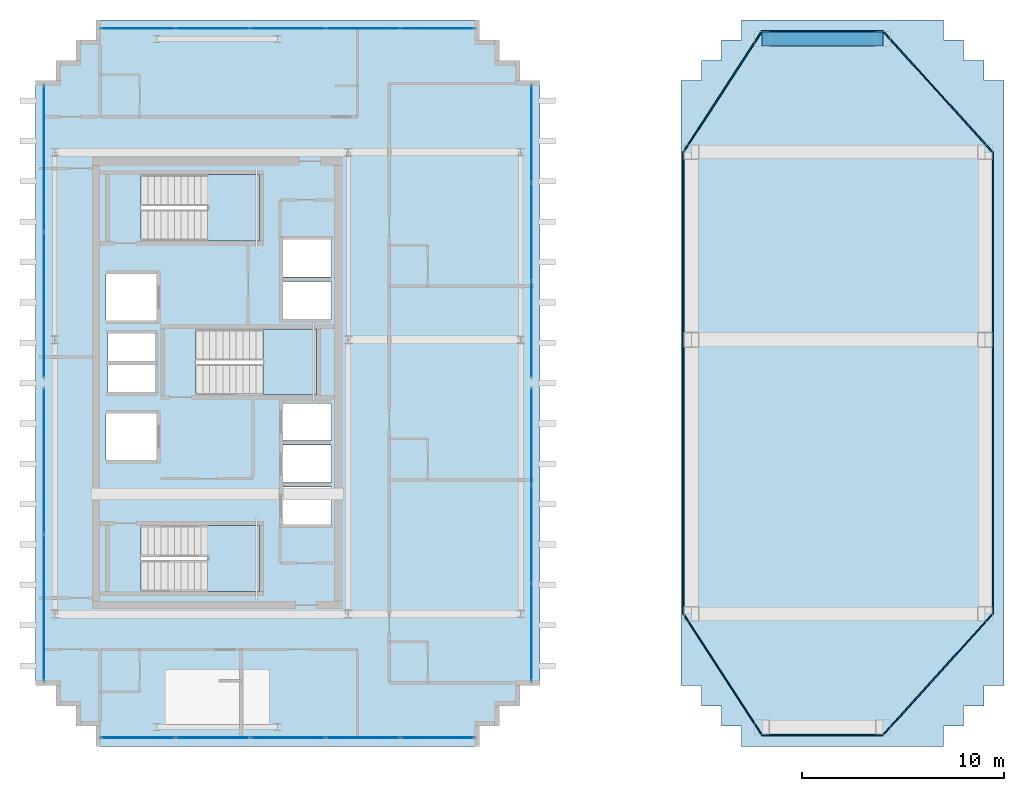
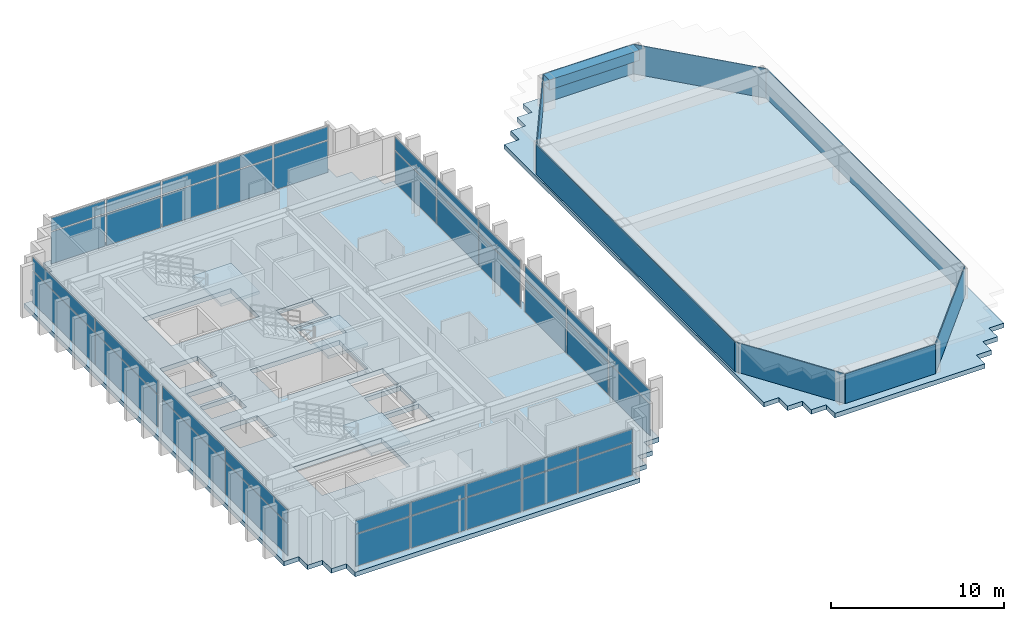
# One storey, part 13 of 17: 48 plates, 5 slabs, 1 beam, 9 elements without a shape of their own.
"""IFC4 building model written with IfcOpenShell, lengths in metres."""

from ifc_helpers import new_model, si_unit, direction, frame, origin, origin_2d, place, context, subcontext, project, spatial, polyline, rectangle, hollow_rectangle, outline, extrude, source, transform, mapped, material, layer, layer_set, material_profile, profile_set, type_object, element, aggregate, save


model = new_model("IFC4")

# Units and contexts
model_context = context("Model", 3, precision=1e-05, world=origin(), true_north=direction((0.0, 1.0)))
body_context = subcontext(model_context, "Body", "Model", "MODEL_VIEW")
ifc_project = project(units=[si_unit("LENGTHUNIT", "METRE"), si_unit("AREAUNIT", "SQUARE_METRE"), si_unit("VOLUMEUNIT", "CUBIC_METRE"), si_unit("PLANEANGLEUNIT", "RADIAN"), si_unit("MASSUNIT", "GRAM", prefix="KILO")], contexts=[model_context])

# Site, building, storey
site_placement = place(None, origin())
site = spatial("IfcSite", under=ifc_project, at=site_placement, CompositionType="ELEMENT")
building_placement = place(site_placement, origin())
building = spatial("IfcBuilding", under=site, at=building_placement, Name="Ocotamira Hotel", CompositionType="ELEMENT")
storey_placement = place(building_placement, frame((0.0, 0.0, 272.39990234375)))
storey = spatial("IfcBuildingStorey", under=building, at=storey_placement, Name="L69", CompositionType="ELEMENT", Elevation=272.39990234375)

# Beam
ifc_material_1 = material(Name="Pale-metal coated steel ASTM A913 Grade 65", Category="steel")
ifc_material_profile = material_profile(ifc_material_1, hollow_rectangle(XDim=0.699951171875, YDim=0.699951171875, WallThickness=0.02490234375, at=origin_2d()), Name="BOX700X700X25")
ifc_profile_set = profile_set([ifc_material_profile], Name="Pale-metal coated steel ASTM A913 Grade 65")
beam_type = type_object("IfcBeamType", Name="BM-CROWN-RING", PredefinedType="USERDEFINED", material=ifc_profile_set)
shared_shape_1 = source(origin(), body_context, "Body", "SweptSolid", [
    extrude(hollow_rectangle(XDim=0.699951171875, YDim=0.699951171875, WallThickness=0.02490234375, at=origin_2d()), origin(), (0.0, 0.0, 1.0), 6.0),
])
beam_placement = place(storey_placement, frame((44.0, 43.050048828125, 1.75), z_axis=(1.0, 0.0, 0.0), x_axis=(0.0, 1.0, 0.0)))
element("IfcBeam", 1, at=beam_placement, inside=storey, type_object=beam_type, Name="EAST CROWN RING BEAM 07", ObjectType="CROWN FRAME", PredefinedType="USERDEFINED", context=body_context, shape_type="MappedRepresentation", body=[
    mapped(shared_shape_1, transform((0.0, 0.0, 0.0), scale=1.0)),
])

# Slab
ifc_material_2 = material(Name="Concrete C40/50", Category="concrete")
ifc_layer_1 = layer(ifc_material_2, 0.320068359375)
ifc_layer_set_1 = layer_set([ifc_layer_1], Name="Concrete C40/50")
slab_type_1 = type_object("IfcSlabType", Name="SLB-HVY-320", PredefinedType="FLOOR", material=ifc_layer_set_1)
slab_1_placement = place(storey_placement, frame((0.0, 0.0, -0.31982421875)))
element("IfcSlab", 2, at=slab_1_placement, inside=storey, type_object=slab_type_1, Name="L69 Structural Floor Slab", PredefinedType="FLOOR", context=body_context, shape_type="SweptSolid", body=[
    extrude(outline(polyline([(11.0, 8.0), (30.0, 8.0), (30.0, 9.0), (31.0, 9.0), (31.0, 10.0), (32.0, 10.0), (32.0, 11.0), (33.0, 11.0), (33.0, 41.0), (32.0, 41.0), (32.0, 42.0), (31.0, 42.0), (31.0, 43.0), (30.0, 43.0), (30.0, 44.0), (11.0, 44.0), (11.0, 43.0), (10.0, 43.0), (10.0, 42.0), (9.0, 42.0), (9.0, 41.0), (8.0, 41.0), (8.0, 11.0), (9.0, 11.0), (9.0, 10.0), (10.0, 10.0), (10.0, 9.0), (11.0, 9.0), (11.0, 8.0)]), holes=[polyline([(13.22998046875, 15.669921875), (19.090087890625, 15.669921875), (19.090087890625, 18.949951171875), (13.22998046875, 18.949951171875), (13.22998046875, 15.669921875)]), polyline([(13.22998046875, 33.050048828125), (19.090087890625, 33.050048828125), (19.090087890625, 36.330078125), (13.22998046875, 36.330078125), (13.22998046875, 33.050048828125)]), polyline([(15.9599609375, 25.39990234375), (21.919921875, 25.39990234375), (21.919921875, 28.679931640625), (15.9599609375, 28.679931640625), (15.9599609375, 25.39990234375)]), polyline([(20.25, 19.0), (22.659912109375, 19.0), (22.659912109375, 20.85009765625), (20.25, 20.85009765625), (20.25, 19.0)]), polyline([(20.25, 21.080078125), (22.659912109375, 21.080078125), (22.659912109375, 22.929931640625), (20.25, 22.929931640625), (20.25, 21.080078125)]), polyline([(20.25, 23.159912109375), (22.659912109375, 23.159912109375), (22.659912109375, 24.9599609375), (20.25, 24.9599609375), (20.25, 23.159912109375)]), polyline([(20.25, 29.179931640625), (22.659912109375, 29.179931640625), (22.659912109375, 31.030029296875), (20.25, 31.030029296875), (20.25, 29.179931640625)]), polyline([(20.25, 31.260009765625), (22.659912109375, 31.260009765625), (22.659912109375, 33.110107421875), (20.25, 33.110107421875), (20.25, 31.260009765625)]), polyline([(11.5, 22.199951171875), (14.0, 22.199951171875), (14.0, 24.5), (11.5, 24.5), (11.5, 22.199951171875)]), polyline([(11.5, 29.10009765625), (14.0, 29.10009765625), (14.0, 31.39990234375), (11.5, 31.39990234375), (11.5, 29.10009765625)]), polyline([(11.580078125, 25.550048828125), (13.919921875, 25.550048828125), (13.919921875, 26.89990234375), (11.580078125, 26.89990234375), (11.580078125, 25.550048828125)]), polyline([(11.580078125, 27.10009765625), (13.919921875, 27.10009765625), (13.919921875, 28.449951171875), (11.580078125, 28.449951171875), (11.580078125, 27.10009765625)])]), origin(), (0.0, 0.0, 1.0), 0.31982421875),
])

# Stair, slab
stair_type = type_object("IfcStairType", Name="ST-CORE-1560", PredefinedType="HALF_TURN_STAIR", material=ifc_material_2)
stair_1_placement = place(storey_placement, origin())
stair_1 = element("IfcStair", 3, at=stair_1_placement, inside=storey, type_object=stair_type, Name="L69 Exit Stair ST-1", PredefinedType="HALF_TURN_STAIR")
ifc_layer_2 = layer(ifc_material_2, 0.199951171875)
ifc_layer_set_2 = layer_set([ifc_layer_2], Name="Concrete C40/50")
slab_type_2 = type_object("IfcSlabType", Name="SLB-LAND-200", PredefinedType="LANDING", material=ifc_layer_set_2)
slab_2_placement = place(storey_placement, frame((0.0, 0.0, 1.60009765625)))
slab_2 = element("IfcSlab", 4, at=slab_2_placement, type_object=slab_type_2, Name="ST-1 landing 1", PredefinedType="LANDING", context=body_context, shape_type="SweptSolid", body=[
    extrude(outline(polyline([(16.530029296875, 15.669921875), (19.090087890625, 15.669921875), (19.090087890625, 18.949951171875), (16.530029296875, 18.949951171875), (16.530029296875, 15.669921875)])), origin(), (0.0, 0.0, 1.0), 0.199951171875),
])
aggregate(stair_1, [slab_2])

stair_2_placement = place(storey_placement, origin())
stair_2 = element("IfcStair", 5, at=stair_2_placement, inside=storey, type_object=stair_type, Name="L69 Exit Stair ST-2", PredefinedType="HALF_TURN_STAIR")
slab_3_placement = place(storey_placement, frame((0.0, 0.0, 1.60009765625)))
slab_3 = element("IfcSlab", 6, at=slab_3_placement, type_object=slab_type_2, Name="ST-2 landing 1", PredefinedType="LANDING", context=body_context, shape_type="SweptSolid", body=[
    extrude(outline(polyline([(16.530029296875, 33.050048828125), (19.090087890625, 33.050048828125), (19.090087890625, 36.330078125), (16.530029296875, 36.330078125), (16.530029296875, 33.050048828125)])), origin(), (0.0, 0.0, 1.0), 0.199951171875),
])
aggregate(stair_2, [slab_3])

stair_3_placement = place(storey_placement, origin())
stair_3 = element("IfcStair", 7, at=stair_3_placement, inside=storey, type_object=stair_type, Name="L69 Exit Stair ST-3", PredefinedType="HALF_TURN_STAIR")
slab_4_placement = place(storey_placement, frame((0.0, 0.0, 1.60009765625)))
slab_4 = element("IfcSlab", 8, at=slab_4_placement, type_object=slab_type_2, Name="ST-3 landing 1", PredefinedType="LANDING", context=body_context, shape_type="SweptSolid", body=[
    extrude(outline(polyline([(19.260009765625, 25.39990234375), (21.919921875, 25.39990234375), (21.919921875, 28.679931640625), (19.260009765625, 28.679931640625), (19.260009765625, 25.39990234375)])), origin(), (0.0, 0.0, 1.0), 0.199951171875),
])
aggregate(stair_3, [slab_4])

# Slab
ifc_layer_3 = layer(ifc_material_2, 0.320068359375)
ifc_layer_set_3 = layer_set([ifc_layer_3], Name="Concrete C40/50")
slab_type_3 = type_object("IfcSlabType", Name="SLB-ROOF-320", PredefinedType="ROOF", material=ifc_layer_set_3)
slab_5_placement = place(storey_placement, frame((0.0, 0.0, -0.31982421875)))
element("IfcSlab", 9, at=slab_5_placement, inside=storey, type_object=slab_type_3, Name="L69 East Wing Flat Roof Slab", PredefinedType="ROOF", context=body_context, shape_type="SweptSolid", body=[
    extrude(outline(polyline([(43.0, 8.0), (53.0, 8.0), (53.0, 9.0), (54.0, 9.0), (54.0, 10.0), (55.0, 10.0), (55.0, 11.0), (56.0, 11.0), (56.0, 41.0), (55.0, 41.0), (55.0, 42.0), (54.0, 42.0), (54.0, 43.0), (53.0, 43.0), (53.0, 44.0), (43.0, 44.0), (43.0, 43.0), (42.0, 43.0), (42.0, 42.0), (41.0, 42.0), (41.0, 41.0), (40.0, 41.0), (40.0, 11.0), (41.0, 11.0), (41.0, 10.0), (42.0, 10.0), (42.0, 9.0), (43.0, 9.0), (43.0, 8.0)])), origin(), (0.0, 0.0, 1.0), 0.31982421875),
])

# Curtain wall, plates
ifc_material_3 = material(Name="Anodised pale-metal aluminium and solar glass", Category="aluminium")
ifc_layer_4 = layer(ifc_material_3, 0.2099609375)
ifc_layer_set_4 = layer_set([ifc_layer_4], Name="Anodised pale-metal aluminium and solar glass")
curtain_wall_type = type_object("IfcCurtainWallType", Name="CW-SYS7-PEAK", PredefinedType="NOTDEFINED", material=ifc_layer_set_4)
curtain_wall_1_placement = place(storey_placement, origin())
curtain_wall_1 = element("IfcCurtainWall", 10, at=curtain_wall_1_placement, inside=storey, type_object=curtain_wall_type, Name="L69 Curtain Wall CW-7 CW-L69-W1", PredefinedType="NOTDEFINED")
ifc_material_4 = material(Name="Double-silver low-E insulated solar glass", Category="glass")
ifc_layer_5 = layer(ifc_material_4, 0.031982421875)
ifc_layer_set_5 = layer_set([ifc_layer_5], Name="Double-silver low-E insulated solar glass")
plate_type_1 = type_object("IfcPlateType", Name="CWP-VISION-32", PredefinedType="CURTAIN_PANEL", material=ifc_layer_set_5)
shared_shape_2 = source(origin(), body_context, "Body", "SweptSolid", [
    extrude(rectangle(XDim=7.179931640625, YDim=0.031982421875, at=origin_2d()), origin(), (0.0, 0.0, 1.0), 2.237548828125),
])
plate_1_placement = place(storey_placement, frame((8.419921875, 14.8701171875, 0.0751953125), z_axis=(0.0, 0.0, 1.0), x_axis=(0.0, 1.0, 0.0)))
plate_1 = element("IfcPlate", 11, at=plate_1_placement, type_object=plate_type_1, Name="CW-7 panel 1.1", PredefinedType="CURTAIN_PANEL", context=body_context, shape_type="MappedRepresentation", body=[
    mapped(shared_shape_2, transform((0.0, 0.0, 0.0), scale=1.0)),
])
plate_2_placement = place(storey_placement, frame((8.419921875, 22.1298828125, 0.0751953125), z_axis=(0.0, 0.0, 1.0), x_axis=(0.0, 1.0, 0.0)))
plate_2 = element("IfcPlate", 12, at=plate_2_placement, type_object=plate_type_1, Name="CW-7 panel 2.1", PredefinedType="CURTAIN_PANEL", context=body_context, shape_type="MappedRepresentation", body=[
    mapped(shared_shape_2, transform((0.0, 0.0, 0.0), scale=1.0)),
])

curtain_wall_2_placement = place(storey_placement, origin())
curtain_wall_2 = element("IfcCurtainWall", 13, at=curtain_wall_2_placement, inside=storey, type_object=curtain_wall_type, Name="L69 Curtain Wall CW-7 CW-L69-W2", PredefinedType="NOTDEFINED")
plate_3_placement = place(storey_placement, frame((8.419921875, 29.8701171875, 0.0751953125), z_axis=(0.0, 0.0, 1.0), x_axis=(0.0, 1.0, 0.0)))
plate_3 = element("IfcPlate", 14, at=plate_3_placement, type_object=plate_type_1, Name="CW-7 panel 1.1", PredefinedType="CURTAIN_PANEL", context=body_context, shape_type="MappedRepresentation", body=[
    mapped(shared_shape_2, transform((0.0, 0.0, 0.0), scale=1.0)),
])
plate_4_placement = place(storey_placement, frame((8.419921875, 37.1298828125, 0.0751953125), z_axis=(0.0, 0.0, 1.0), x_axis=(0.0, 1.0, 0.0)))
plate_4 = element("IfcPlate", 15, at=plate_4_placement, type_object=plate_type_1, Name="CW-7 panel 2.1", PredefinedType="CURTAIN_PANEL", context=body_context, shape_type="MappedRepresentation", body=[
    mapped(shared_shape_2, transform((0.0, 0.0, 0.0), scale=1.0)),
])

# Plate
shared_shape_3 = source(origin(), body_context, "Body", "SweptSolid", [
    extrude(rectangle(XDim=7.179931640625, YDim=0.031982421875, at=origin_2d()), origin(), (0.0, 0.0, 1.0), 0.91748046875),
])
plate_5_placement = place(storey_placement, frame((8.419921875, 14.8701171875, 2.3876953125), z_axis=(0.0, 0.0, 1.0), x_axis=(0.0, 1.0, 0.0)))
plate_5 = element("IfcPlate", 16, at=plate_5_placement, type_object=plate_type_1, Name="CW-7 panel 1.2", PredefinedType="CURTAIN_PANEL", context=body_context, shape_type="MappedRepresentation", body=[
    mapped(shared_shape_3, transform((0.0, 0.0, 0.0), scale=1.0)),
])

plate_6_placement = place(storey_placement, frame((8.419921875, 22.1298828125, 2.3876953125), z_axis=(0.0, 0.0, 1.0), x_axis=(0.0, 1.0, 0.0)))
plate_6 = element("IfcPlate", 17, at=plate_6_placement, type_object=plate_type_1, Name="CW-7 panel 2.2", PredefinedType="CURTAIN_PANEL", context=body_context, shape_type="MappedRepresentation", body=[
    mapped(shared_shape_3, transform((0.0, 0.0, 0.0), scale=1.0)),
])

aggregate(curtain_wall_1, [plate_1, plate_5, plate_2, plate_6])

plate_7_placement = place(storey_placement, frame((8.419921875, 29.8701171875, 2.3876953125), z_axis=(0.0, 0.0, 1.0), x_axis=(0.0, 1.0, 0.0)))
plate_7 = element("IfcPlate", 18, at=plate_7_placement, type_object=plate_type_1, Name="CW-7 panel 1.2", PredefinedType="CURTAIN_PANEL", context=body_context, shape_type="MappedRepresentation", body=[
    mapped(shared_shape_3, transform((0.0, 0.0, 0.0), scale=1.0)),
])

plate_8_placement = place(storey_placement, frame((8.419921875, 37.1298828125, 2.3876953125), z_axis=(0.0, 0.0, 1.0), x_axis=(0.0, 1.0, 0.0)))
plate_8 = element("IfcPlate", 19, at=plate_8_placement, type_object=plate_type_1, Name="CW-7 panel 2.2", PredefinedType="CURTAIN_PANEL", context=body_context, shape_type="MappedRepresentation", body=[
    mapped(shared_shape_3, transform((0.0, 0.0, 0.0), scale=1.0)),
])

aggregate(curtain_wall_2, [plate_3, plate_7, plate_4, plate_8])

# Curtain wall, plates
curtain_wall_3_placement = place(storey_placement, origin())
curtain_wall_3 = element("IfcCurtainWall", 20, at=curtain_wall_3_placement, inside=storey, type_object=curtain_wall_type, Name="L69 Curtain Wall CW-7 CW-L69-S1", PredefinedType="NOTDEFINED")
shared_shape_4 = source(origin(), body_context, "Body", "SweptSolid", [
    extrude(rectangle(XDim=3.60009765625, YDim=0.031982421875, at=origin_2d()), origin(), (0.0, 0.0, 1.0), 2.237548828125),
])
plate_9_placement = place(storey_placement, frame((13.080078125, 8.419921875, 0.0751953125), z_axis=(0.0, 0.0, 1.0), x_axis=(1.0, 0.0, 0.0)))
plate_9 = element("IfcPlate", 21, at=plate_9_placement, type_object=plate_type_1, Name="CW-7 panel 1.1", PredefinedType="CURTAIN_PANEL", context=body_context, shape_type="MappedRepresentation", body=[
    mapped(shared_shape_4, transform((0.0, 0.0, 0.0), scale=1.0)),
])
plate_10_placement = place(storey_placement, frame((27.919921875, 8.419921875, 0.0751953125), z_axis=(0.0, 0.0, 1.0), x_axis=(1.0, 0.0, 0.0)))
plate_10 = element("IfcPlate", 22, at=plate_10_placement, type_object=plate_type_1, Name="CW-7 panel 5.1", PredefinedType="CURTAIN_PANEL", context=body_context, shape_type="MappedRepresentation", body=[
    mapped(shared_shape_4, transform((0.0, 0.0, 0.0), scale=1.0)),
])

curtain_wall_4_placement = place(storey_placement, origin())
curtain_wall_4 = element("IfcCurtainWall", 23, at=curtain_wall_4_placement, inside=storey, type_object=curtain_wall_type, Name="L69 Curtain Wall CW-7 CW-L69-N", PredefinedType="NOTDEFINED")
plate_11_placement = place(storey_placement, frame((13.080078125, 43.580078125, 0.0751953125), z_axis=(0.0, 0.0, 1.0), x_axis=(1.0, 0.0, 0.0)))
plate_11 = element("IfcPlate", 24, at=plate_11_placement, type_object=plate_type_1, Name="CW-7 panel 1.1", PredefinedType="CURTAIN_PANEL", context=body_context, shape_type="MappedRepresentation", body=[
    mapped(shared_shape_4, transform((0.0, 0.0, 0.0), scale=1.0)),
])
plate_12_placement = place(storey_placement, frame((27.919921875, 43.580078125, 0.0751953125), z_axis=(0.0, 0.0, 1.0), x_axis=(1.0, 0.0, 0.0)))
plate_12 = element("IfcPlate", 25, at=plate_12_placement, type_object=plate_type_1, Name="CW-7 panel 5.1", PredefinedType="CURTAIN_PANEL", context=body_context, shape_type="MappedRepresentation", body=[
    mapped(shared_shape_4, transform((0.0, 0.0, 0.0), scale=1.0)),
])

# Plate
shared_shape_5 = source(origin(), body_context, "Body", "SweptSolid", [
    extrude(rectangle(XDim=3.60009765625, YDim=0.031982421875, at=origin_2d()), origin(), (0.0, 0.0, 1.0), 0.91748046875),
])
plate_13_placement = place(storey_placement, frame((13.080078125, 8.419921875, 2.3876953125), z_axis=(0.0, 0.0, 1.0), x_axis=(1.0, 0.0, 0.0)))
plate_13 = element("IfcPlate", 26, at=plate_13_placement, type_object=plate_type_1, Name="CW-7 panel 1.2", PredefinedType="CURTAIN_PANEL", context=body_context, shape_type="MappedRepresentation", body=[
    mapped(shared_shape_5, transform((0.0, 0.0, 0.0), scale=1.0)),
])

plate_14_placement = place(storey_placement, frame((27.919921875, 8.419921875, 2.3876953125), z_axis=(0.0, 0.0, 1.0), x_axis=(1.0, 0.0, 0.0)))
plate_14 = element("IfcPlate", 27, at=plate_14_placement, type_object=plate_type_1, Name="CW-7 panel 5.2", PredefinedType="CURTAIN_PANEL", context=body_context, shape_type="MappedRepresentation", body=[
    mapped(shared_shape_5, transform((0.0, 0.0, 0.0), scale=1.0)),
])

plate_15_placement = place(storey_placement, frame((13.080078125, 43.580078125, 2.3876953125), z_axis=(0.0, 0.0, 1.0), x_axis=(1.0, 0.0, 0.0)))
plate_15 = element("IfcPlate", 28, at=plate_15_placement, type_object=plate_type_1, Name="CW-7 panel 1.2", PredefinedType="CURTAIN_PANEL", context=body_context, shape_type="MappedRepresentation", body=[
    mapped(shared_shape_5, transform((0.0, 0.0, 0.0), scale=1.0)),
])

plate_16_placement = place(storey_placement, frame((27.919921875, 43.580078125, 2.3876953125), z_axis=(0.0, 0.0, 1.0), x_axis=(1.0, 0.0, 0.0)))
plate_16 = element("IfcPlate", 29, at=plate_16_placement, type_object=plate_type_1, Name="CW-7 panel 5.2", PredefinedType="CURTAIN_PANEL", context=body_context, shape_type="MappedRepresentation", body=[
    mapped(shared_shape_5, transform((0.0, 0.0, 0.0), scale=1.0)),
])

shared_shape_6 = source(origin(), body_context, "Body", "SweptSolid", [
    extrude(rectangle(XDim=3.639892578125, YDim=0.031982421875, at=origin_2d()), origin(), (0.0, 0.0, 1.0), 2.237548828125),
])
plate_17_placement = place(storey_placement, frame((16.780029296875, 8.419921875, 0.0751953125), z_axis=(0.0, 0.0, 1.0), x_axis=(1.0, 0.0, 0.0)))
plate_17 = element("IfcPlate", 30, at=plate_17_placement, type_object=plate_type_1, Name="CW-7 panel 2.1", PredefinedType="CURTAIN_PANEL", context=body_context, shape_type="MappedRepresentation", body=[
    mapped(shared_shape_6, transform((0.0, 0.0, 0.0), scale=1.0)),
])

plate_18_placement = place(storey_placement, frame((20.5, 8.419921875, 0.0751953125), z_axis=(0.0, 0.0, 1.0), x_axis=(1.0, 0.0, 0.0)))
plate_18 = element("IfcPlate", 31, at=plate_18_placement, type_object=plate_type_1, Name="CW-7 panel 3.1", PredefinedType="CURTAIN_PANEL", context=body_context, shape_type="MappedRepresentation", body=[
    mapped(shared_shape_6, transform((0.0, 0.0, 0.0), scale=1.0)),
])

plate_19_placement = place(storey_placement, frame((24.219970703125, 8.419921875, 0.0751953125), z_axis=(0.0, 0.0, 1.0), x_axis=(1.0, 0.0, 0.0)))
plate_19 = element("IfcPlate", 32, at=plate_19_placement, type_object=plate_type_1, Name="CW-7 panel 4.1", PredefinedType="CURTAIN_PANEL", context=body_context, shape_type="MappedRepresentation", body=[
    mapped(shared_shape_6, transform((0.0, 0.0, 0.0), scale=1.0)),
])

plate_20_placement = place(storey_placement, frame((16.780029296875, 43.580078125, 0.0751953125), z_axis=(0.0, 0.0, 1.0), x_axis=(1.0, 0.0, 0.0)))
plate_20 = element("IfcPlate", 33, at=plate_20_placement, type_object=plate_type_1, Name="CW-7 panel 2.1", PredefinedType="CURTAIN_PANEL", context=body_context, shape_type="MappedRepresentation", body=[
    mapped(shared_shape_6, transform((0.0, 0.0, 0.0), scale=1.0)),
])

plate_21_placement = place(storey_placement, frame((20.5, 43.580078125, 0.0751953125), z_axis=(0.0, 0.0, 1.0), x_axis=(1.0, 0.0, 0.0)))
plate_21 = element("IfcPlate", 34, at=plate_21_placement, type_object=plate_type_1, Name="CW-7 panel 3.1", PredefinedType="CURTAIN_PANEL", context=body_context, shape_type="MappedRepresentation", body=[
    mapped(shared_shape_6, transform((0.0, 0.0, 0.0), scale=1.0)),
])

plate_22_placement = place(storey_placement, frame((24.219970703125, 43.580078125, 0.0751953125), z_axis=(0.0, 0.0, 1.0), x_axis=(1.0, 0.0, 0.0)))
plate_22 = element("IfcPlate", 35, at=plate_22_placement, type_object=plate_type_1, Name="CW-7 panel 4.1", PredefinedType="CURTAIN_PANEL", context=body_context, shape_type="MappedRepresentation", body=[
    mapped(shared_shape_6, transform((0.0, 0.0, 0.0), scale=1.0)),
])

shared_shape_7 = source(origin(), body_context, "Body", "SweptSolid", [
    extrude(rectangle(XDim=3.639892578125, YDim=0.031982421875, at=origin_2d()), origin(), (0.0, 0.0, 1.0), 0.91748046875),
])
plate_23_placement = place(storey_placement, frame((16.780029296875, 8.419921875, 2.3876953125), z_axis=(0.0, 0.0, 1.0), x_axis=(1.0, 0.0, 0.0)))
plate_23 = element("IfcPlate", 36, at=plate_23_placement, type_object=plate_type_1, Name="CW-7 panel 2.2", PredefinedType="CURTAIN_PANEL", context=body_context, shape_type="MappedRepresentation", body=[
    mapped(shared_shape_7, transform((0.0, 0.0, 0.0), scale=1.0)),
])

plate_24_placement = place(storey_placement, frame((20.5, 8.419921875, 2.3876953125), z_axis=(0.0, 0.0, 1.0), x_axis=(1.0, 0.0, 0.0)))
plate_24 = element("IfcPlate", 37, at=plate_24_placement, type_object=plate_type_1, Name="CW-7 panel 3.2", PredefinedType="CURTAIN_PANEL", context=body_context, shape_type="MappedRepresentation", body=[
    mapped(shared_shape_7, transform((0.0, 0.0, 0.0), scale=1.0)),
])

plate_25_placement = place(storey_placement, frame((24.219970703125, 8.419921875, 2.3876953125), z_axis=(0.0, 0.0, 1.0), x_axis=(1.0, 0.0, 0.0)))
plate_25 = element("IfcPlate", 38, at=plate_25_placement, type_object=plate_type_1, Name="CW-7 panel 4.2", PredefinedType="CURTAIN_PANEL", context=body_context, shape_type="MappedRepresentation", body=[
    mapped(shared_shape_7, transform((0.0, 0.0, 0.0), scale=1.0)),
])

aggregate(curtain_wall_3, [plate_9, plate_13, plate_17, plate_23, plate_18, plate_24, plate_19, plate_25, plate_10, plate_14])

plate_26_placement = place(storey_placement, frame((16.780029296875, 43.580078125, 2.3876953125), z_axis=(0.0, 0.0, 1.0), x_axis=(1.0, 0.0, 0.0)))
plate_26 = element("IfcPlate", 39, at=plate_26_placement, type_object=plate_type_1, Name="CW-7 panel 2.2", PredefinedType="CURTAIN_PANEL", context=body_context, shape_type="MappedRepresentation", body=[
    mapped(shared_shape_7, transform((0.0, 0.0, 0.0), scale=1.0)),
])

plate_27_placement = place(storey_placement, frame((20.5, 43.580078125, 2.3876953125), z_axis=(0.0, 0.0, 1.0), x_axis=(1.0, 0.0, 0.0)))
plate_27 = element("IfcPlate", 40, at=plate_27_placement, type_object=plate_type_1, Name="CW-7 panel 3.2", PredefinedType="CURTAIN_PANEL", context=body_context, shape_type="MappedRepresentation", body=[
    mapped(shared_shape_7, transform((0.0, 0.0, 0.0), scale=1.0)),
])

plate_28_placement = place(storey_placement, frame((24.219970703125, 43.580078125, 2.3876953125), z_axis=(0.0, 0.0, 1.0), x_axis=(1.0, 0.0, 0.0)))
plate_28 = element("IfcPlate", 41, at=plate_28_placement, type_object=plate_type_1, Name="CW-7 panel 4.2", PredefinedType="CURTAIN_PANEL", context=body_context, shape_type="MappedRepresentation", body=[
    mapped(shared_shape_7, transform((0.0, 0.0, 0.0), scale=1.0)),
])

aggregate(curtain_wall_4, [plate_11, plate_15, plate_20, plate_26, plate_21, plate_27, plate_22, plate_28, plate_12, plate_16])

# Curtain wall, plates
curtain_wall_5_placement = place(storey_placement, origin())
curtain_wall_5 = element("IfcCurtainWall", 42, at=curtain_wall_5_placement, inside=storey, type_object=curtain_wall_type, Name="L69 Curtain Wall CW-7 CW-L69-E1", PredefinedType="NOTDEFINED")
shared_shape_8 = source(origin(), body_context, "Body", "SweptSolid", [
    extrude(rectangle(XDim=4.74658203125, YDim=0.031982421875, at=origin_2d()), origin(), (0.0, 0.0, 1.0), 2.237548828125),
])
plate_29_placement = place(storey_placement, frame((32.580078125, 13.6533203125, 0.0751953125), z_axis=(0.0, 0.0, 1.0), x_axis=(0.0, 1.0, 0.0)))
plate_29 = element("IfcPlate", 43, at=plate_29_placement, type_object=plate_type_1, Name="CW-7 panel 1.1", PredefinedType="CURTAIN_PANEL", context=body_context, shape_type="MappedRepresentation", body=[
    mapped(shared_shape_8, transform((0.0, 0.0, 0.0), scale=1.0)),
])
plate_30_placement = place(storey_placement, frame((32.580078125, 23.3466796875, 0.0751953125), z_axis=(0.0, 0.0, 1.0), x_axis=(0.0, 1.0, 0.0)))
plate_30 = element("IfcPlate", 44, at=plate_30_placement, type_object=plate_type_1, Name="CW-7 panel 3.1", PredefinedType="CURTAIN_PANEL", context=body_context, shape_type="MappedRepresentation", body=[
    mapped(shared_shape_8, transform((0.0, 0.0, 0.0), scale=1.0)),
])

curtain_wall_6_placement = place(storey_placement, origin())
curtain_wall_6 = element("IfcCurtainWall", 45, at=curtain_wall_6_placement, inside=storey, type_object=curtain_wall_type, Name="L69 Curtain Wall CW-7 CW-L69-E2", PredefinedType="NOTDEFINED")
plate_31_placement = place(storey_placement, frame((32.580078125, 28.6533203125, 0.0751953125), z_axis=(0.0, 0.0, 1.0), x_axis=(0.0, 1.0, 0.0)))
plate_31 = element("IfcPlate", 46, at=plate_31_placement, type_object=plate_type_1, Name="CW-7 panel 1.1", PredefinedType="CURTAIN_PANEL", context=body_context, shape_type="MappedRepresentation", body=[
    mapped(shared_shape_8, transform((0.0, 0.0, 0.0), scale=1.0)),
])
plate_32_placement = place(storey_placement, frame((32.580078125, 38.3466796875, 0.0751953125), z_axis=(0.0, 0.0, 1.0), x_axis=(0.0, 1.0, 0.0)))
plate_32 = element("IfcPlate", 47, at=plate_32_placement, type_object=plate_type_1, Name="CW-7 panel 3.1", PredefinedType="CURTAIN_PANEL", context=body_context, shape_type="MappedRepresentation", body=[
    mapped(shared_shape_8, transform((0.0, 0.0, 0.0), scale=1.0)),
])

# Plate
shared_shape_9 = source(origin(), body_context, "Body", "SweptSolid", [
    extrude(rectangle(XDim=4.74658203125, YDim=0.031982421875, at=origin_2d()), origin(), (0.0, 0.0, 1.0), 0.91748046875),
])
plate_33_placement = place(storey_placement, frame((32.580078125, 13.6533203125, 2.3876953125), z_axis=(0.0, 0.0, 1.0), x_axis=(0.0, 1.0, 0.0)))
plate_33 = element("IfcPlate", 48, at=plate_33_placement, type_object=plate_type_1, Name="CW-7 panel 1.2", PredefinedType="CURTAIN_PANEL", context=body_context, shape_type="MappedRepresentation", body=[
    mapped(shared_shape_9, transform((0.0, 0.0, 0.0), scale=1.0)),
])

plate_34_placement = place(storey_placement, frame((32.580078125, 23.3466796875, 2.3876953125), z_axis=(0.0, 0.0, 1.0), x_axis=(0.0, 1.0, 0.0)))
plate_34 = element("IfcPlate", 49, at=plate_34_placement, type_object=plate_type_1, Name="CW-7 panel 3.2", PredefinedType="CURTAIN_PANEL", context=body_context, shape_type="MappedRepresentation", body=[
    mapped(shared_shape_9, transform((0.0, 0.0, 0.0), scale=1.0)),
])

plate_35_placement = place(storey_placement, frame((32.580078125, 28.6533203125, 2.3876953125), z_axis=(0.0, 0.0, 1.0), x_axis=(0.0, 1.0, 0.0)))
plate_35 = element("IfcPlate", 50, at=plate_35_placement, type_object=plate_type_1, Name="CW-7 panel 1.2", PredefinedType="CURTAIN_PANEL", context=body_context, shape_type="MappedRepresentation", body=[
    mapped(shared_shape_9, transform((0.0, 0.0, 0.0), scale=1.0)),
])

plate_36_placement = place(storey_placement, frame((32.580078125, 38.3466796875, 2.3876953125), z_axis=(0.0, 0.0, 1.0), x_axis=(0.0, 1.0, 0.0)))
plate_36 = element("IfcPlate", 51, at=plate_36_placement, type_object=plate_type_1, Name="CW-7 panel 3.2", PredefinedType="CURTAIN_PANEL", context=body_context, shape_type="MappedRepresentation", body=[
    mapped(shared_shape_9, transform((0.0, 0.0, 0.0), scale=1.0)),
])

shared_shape_10 = source(origin(), body_context, "Body", "SweptSolid", [
    extrude(rectangle(XDim=4.78662109375, YDim=0.031982421875, at=origin_2d()), origin(), (0.0, 0.0, 1.0), 2.237548828125),
])
plate_37_placement = place(storey_placement, frame((32.580078125, 18.5, 0.0751953125), z_axis=(0.0, 0.0, 1.0), x_axis=(0.0, 1.0, 0.0)))
plate_37 = element("IfcPlate", 52, at=plate_37_placement, type_object=plate_type_1, Name="CW-7 panel 2.1", PredefinedType="CURTAIN_PANEL", context=body_context, shape_type="MappedRepresentation", body=[
    mapped(shared_shape_10, transform((0.0, 0.0, 0.0), scale=1.0)),
])

plate_38_placement = place(storey_placement, frame((32.580078125, 33.5, 0.0751953125), z_axis=(0.0, 0.0, 1.0), x_axis=(0.0, 1.0, 0.0)))
plate_38 = element("IfcPlate", 53, at=plate_38_placement, type_object=plate_type_1, Name="CW-7 panel 2.1", PredefinedType="CURTAIN_PANEL", context=body_context, shape_type="MappedRepresentation", body=[
    mapped(shared_shape_10, transform((0.0, 0.0, 0.0), scale=1.0)),
])

shared_shape_11 = source(origin(), body_context, "Body", "SweptSolid", [
    extrude(rectangle(XDim=4.78662109375, YDim=0.031982421875, at=origin_2d()), origin(), (0.0, 0.0, 1.0), 0.91748046875),
])
plate_39_placement = place(storey_placement, frame((32.580078125, 18.5, 2.3876953125), z_axis=(0.0, 0.0, 1.0), x_axis=(0.0, 1.0, 0.0)))
plate_39 = element("IfcPlate", 54, at=plate_39_placement, type_object=plate_type_1, Name="CW-7 panel 2.2", PredefinedType="CURTAIN_PANEL", context=body_context, shape_type="MappedRepresentation", body=[
    mapped(shared_shape_11, transform((0.0, 0.0, 0.0), scale=1.0)),
])

aggregate(curtain_wall_5, [plate_29, plate_33, plate_37, plate_39, plate_30, plate_34])

plate_40_placement = place(storey_placement, frame((32.580078125, 33.5, 2.3876953125), z_axis=(0.0, 0.0, 1.0), x_axis=(0.0, 1.0, 0.0)))
plate_40 = element("IfcPlate", 55, at=plate_40_placement, type_object=plate_type_1, Name="CW-7 panel 2.2", PredefinedType="CURTAIN_PANEL", context=body_context, shape_type="MappedRepresentation", body=[
    mapped(shared_shape_11, transform((0.0, 0.0, 0.0), scale=1.0)),
])

aggregate(curtain_wall_6, [plate_31, plate_35, plate_38, plate_40, plate_32, plate_36])

# Plates
ifc_material_5 = material(Name="Perforated pale-metal anodised aluminium solar screen", Category="aluminium")
ifc_layer_6 = layer(ifc_material_5, 0.06005859375)
ifc_layer_set_6 = layer_set([ifc_layer_6], Name="Perforated pale-metal anodised aluminium solar screen")
plate_type_2 = type_object("IfcPlateType", Name="PLT-CROWN-SCR", PredefinedType="USERDEFINED", material=ifc_layer_set_6)
shared_shape_12 = source(origin(), body_context, "Body", "SweptSolid", [
    extrude(rectangle(XDim=22.89990234375, YDim=0.06005859375, at=origin_2d()), origin(), (0.0, 0.0, 1.0), 2.080078125),
])
for number, where, z_axis, x_axis, name in (
    (56, (40.110107421875, 26.0, 0.02001953125), (0.0, 0.0, 1.0), (0.0, 1.0, 0.0), "EAST CROWN SCREEN PANEL W"),
    (57, (55.43994140625, 26.0, 0.02001953125), (0.0, 0.0, 1.0), (0.0, 1.0, 0.0), "EAST CROWN SCREEN PANEL E"),
):
    element("IfcPlate", number, at=place(storey_placement, frame(where, z_axis=z_axis, x_axis=x_axis)), inside=storey, type_object=plate_type_2, Name=name, ObjectType="CROWN SCREEN", PredefinedType="USERDEFINED", context=body_context, shape_type="MappedRepresentation", body=[
        mapped(shared_shape_12, transform((0.0, 0.0, 0.0), scale=1.0)),
    ])
shared_shape_13 = source(origin(), body_context, "Body", "SweptSolid", [
    extrude(rectangle(XDim=6.0, YDim=0.06005859375, at=origin_2d()), origin(), (0.0, 0.0, 1.0), 2.080078125),
])
for number, where, z_axis, x_axis, name in (
    (58, (47.0, 8.56005859375, 0.02001953125), (0.0, 0.0, 1.0), (1.0, 0.0, 0.0), "EAST CROWN SCREEN PANEL S"),
    (59, (47.0, 43.43994140625, 0.02001953125), (0.0, 0.0, 1.0), (1.0, 0.0, 0.0), "EAST CROWN SCREEN PANEL N"),
):
    element("IfcPlate", number, at=place(storey_placement, frame(where, z_axis=z_axis, x_axis=x_axis)), inside=storey, type_object=plate_type_2, Name=name, ObjectType="CROWN SCREEN", PredefinedType="USERDEFINED", context=body_context, shape_type="MappedRepresentation", body=[
        mapped(shared_shape_13, transform((0.0, 0.0, 0.0), scale=1.0)),
    ])
shared_shape_14 = source(origin(), body_context, "Body", "SweptSolid", [
    extrude(rectangle(XDim=7.142333984375, YDim=0.06005859375, at=origin_2d()), origin(), (0.0, 0.0, 1.0), 2.080078125),
])
for number, where, z_axis, x_axis, name in (
    (60, (42.054931640625, 11.554931640625, 0.02001953125), (0.0, 0.0, 1.0), (0.544639035015, -0.838670567945, 0.0), "EAST CROWN SCREEN PANEL SW"),
    (61, (42.054931640625, 40.445068359375, 0.02001953125), (0.0, 0.0, 1.0), (0.544639035015, 0.838670567945, 0.0), "EAST CROWN SCREEN PANEL NW"),
):
    element("IfcPlate", number, at=place(storey_placement, frame(where, z_axis=z_axis, x_axis=x_axis)), inside=storey, type_object=plate_type_2, Name=name, ObjectType="CROWN SCREEN", PredefinedType="USERDEFINED", context=body_context, shape_type="MappedRepresentation", body=[
        mapped(shared_shape_14, transform((0.0, 0.0, 0.0), scale=1.0)),
    ])
shared_shape_15 = source(origin(), body_context, "Body", "SweptSolid", [
    extrude(rectangle(XDim=8.091552734375, YDim=0.06005859375, at=origin_2d()), origin(), (0.0, 0.0, 1.0), 2.080078125),
])
for number, where, z_axis, x_axis, name in (
    (62, (52.719970703125, 11.554931640625, 0.02001953125), (0.0, 0.0, 1.0), (0.671720589323, 0.740804596287, 0.0), "EAST CROWN SCREEN PANEL SE"),
    (63, (52.719970703125, 40.445068359375, 0.02001953125), (0.0, 0.0, 1.0), (0.671720589323, -0.740804596287, 0.0), "EAST CROWN SCREEN PANEL NE"),
):
    element("IfcPlate", number, at=place(storey_placement, frame(where, z_axis=z_axis, x_axis=x_axis)), inside=storey, type_object=plate_type_2, Name=name, ObjectType="CROWN SCREEN", PredefinedType="USERDEFINED", context=body_context, shape_type="MappedRepresentation", body=[
        mapped(shared_shape_15, transform((0.0, 0.0, 0.0), scale=1.0)),
    ])

save(model, "model.ifc")
